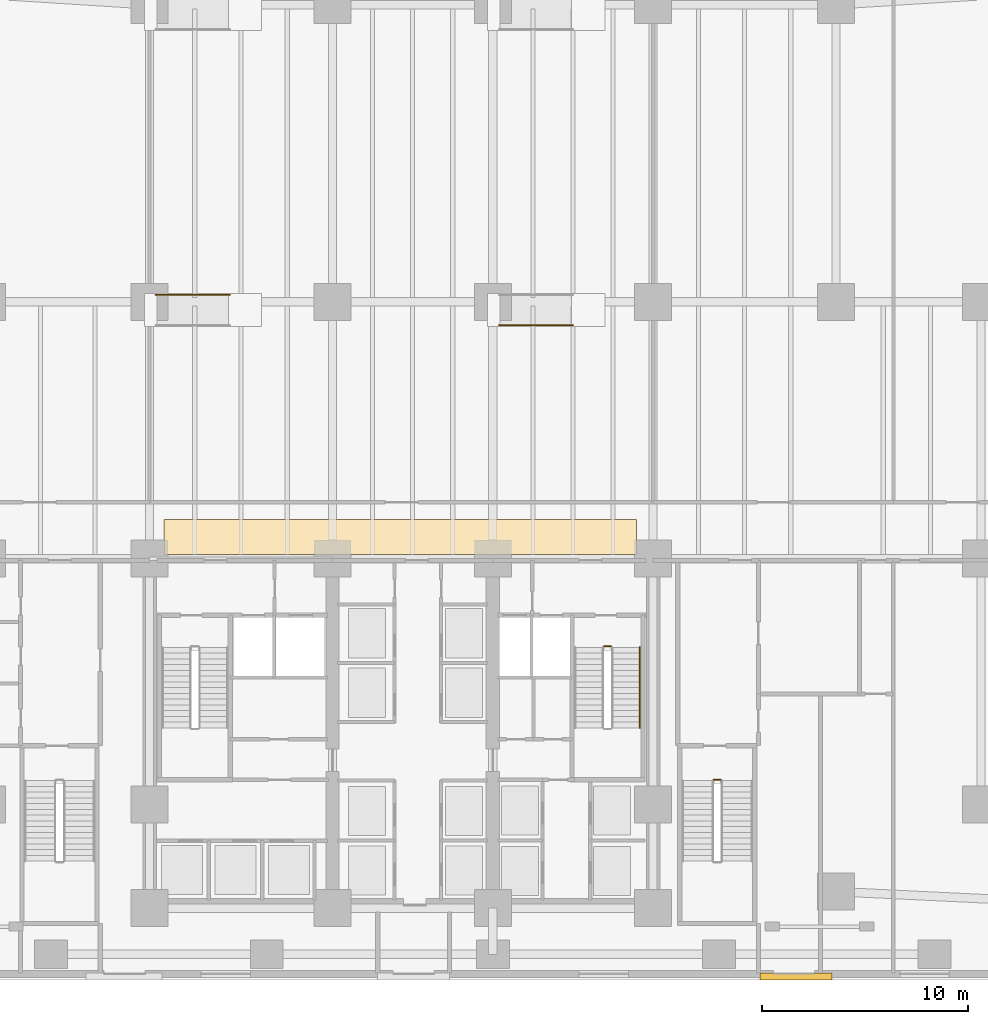
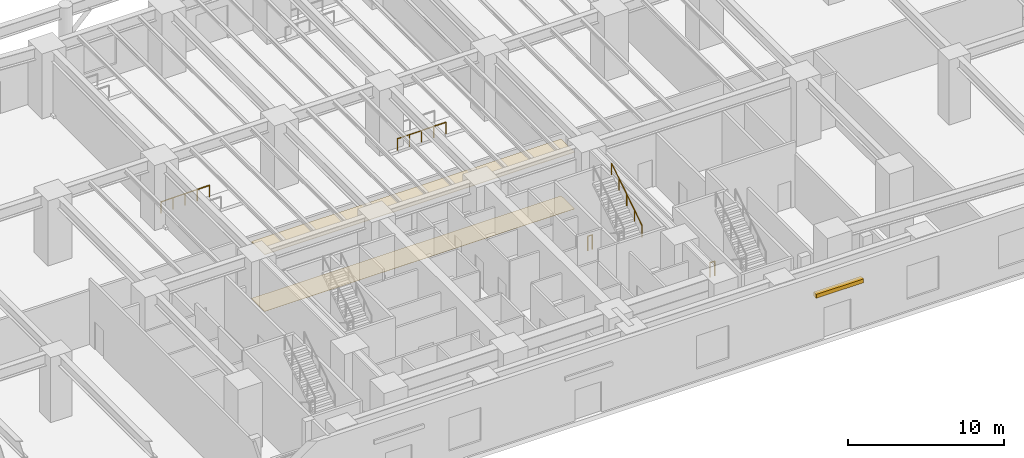
# One storey, part 17 of 19: 5 railings, 2 coverings, 1 shading device.
"""IFC4 building model written with IfcOpenShell, lengths in metres."""

import ifcopenshell
import ifcopenshell.guid

model = None  # the IFC model being written
_history = None  # IfcOwnerHistory: only IFC2X3 demands one
_inside = {}  # id of a spatial element -> (the spatial element, [elements in it])
_under = {}  # id of a project, library or spatial element -> (it, [spatial elements below it])
_declared = {}  # id of a project -> (the project, [libraries it declares])
_typed = {}  # id of a type object -> (the type object, [elements of that type])
_made_of = {}  # id of a material, layer set ... -> (it, [elements and type objects made of it])


def new_model(schema):
    """Start an empty IFC model of exactly this schema.

    Asked for "IFC4X3", IfcOpenShell would pick the latest addendum, in which some entities
    have other attributes; the version numbers below select the first issue.
    IFC2X3 requires an IfcOwnerHistory on every rooted entity: one is made here for all.
    """
    global model, _history
    if schema == "IFC4X3":
        model = ifcopenshell.file(schema_version=(4, 3, 0, 0))
    else:
        model = ifcopenshell.file(schema=schema)
    _inside.clear()
    _under.clear()
    _declared.clear()
    _typed.clear()
    _made_of.clear()
    _history = None
    if model.schema == "IFC2X3":
        org = make("IfcOrganization", Name="unknown")
        user = make(
            "IfcPersonAndOrganization",
            ThePerson=make("IfcPerson", FamilyName="unknown"),
            TheOrganization=org,
        )
        app = make(
            "IfcApplication",
            ApplicationDeveloper=org,
            Version="unknown",
            ApplicationFullName="unknown",
            ApplicationIdentifier="unknown",
        )
        _history = make(
            "IfcOwnerHistory",
            OwningUser=user,
            OwningApplication=app,
            ChangeAction="ADDED",
            CreationDate=0,
        )
    return model


def make(cls, **values):
    """One entity of the class cls with the attributes given. An attribute that is None is left unset."""
    return model.create_entity(
        cls, **{name: value for name, value in values.items() if value is not None}
    )


def rooted(cls, **values):
    """An entity with a GlobalId (a new one), such as an element, a storey or a relation."""
    return make(cls, GlobalId=ifcopenshell.guid.new(), OwnerHistory=_history, **values)


def si_unit(unit_type, name, prefix=None):
    """IfcSIUnit, for example si_unit("LENGTHUNIT", "METRE", prefix="MILLI")."""
    return make("IfcSIUnit", UnitType=unit_type, Prefix=prefix, Name=name)


def assignment(units):
    """IfcUnitAssignment: the units of a project."""
    return None if units is None else make("IfcUnitAssignment", Units=units)


def point(xyz):
    """IfcCartesianPoint."""
    return None if xyz is None else make("IfcCartesianPoint", Coordinates=xyz)


def direction(xyz):
    """IfcDirection."""
    return None if xyz is None else make("IfcDirection", DirectionRatios=xyz)


def frame(location, z_axis=None, x_axis=None):
    """IfcAxis2Placement3D, a coordinate frame: its origin and axes. An axis left out is left unset."""
    return make(
        "IfcAxis2Placement3D",
        Location=point(location),
        Axis=direction(z_axis),
        RefDirection=direction(x_axis),
    )


def frame_2d(location, x_axis=None):
    """IfcAxis2Placement2D, a coordinate frame in the plane: its origin and x axis."""
    return make(
        "IfcAxis2Placement2D", Location=point(location), RefDirection=direction(x_axis)
    )


def origin():
    """The frame at (0, 0, 0) with its axes left unset."""
    return frame((0.0, 0.0, 0.0))


def origin_2d():
    """The frame at (0, 0) in the plane with its x axis left unset."""
    return frame_2d((0.0, 0.0))


def place(relative_to, where):
    """IfcLocalPlacement: puts the frame where relative to a parent placement (None: the world)."""
    return make(
        "IfcLocalPlacement", PlacementRelTo=relative_to, RelativePlacement=where
    )


def context(
    kind, dimensions, precision=None, world=None, true_north=None, identifier=None
):
    """IfcGeometricRepresentationContext, for example the 3D "Model" context."""
    return make(
        "IfcGeometricRepresentationContext",
        ContextIdentifier=identifier,
        ContextType=kind,
        CoordinateSpaceDimension=dimensions,
        Precision=precision,
        WorldCoordinateSystem=world,
        TrueNorth=true_north,
    )


def subcontext(parent, identifier, kind, view, scale=None):
    """IfcGeometricRepresentationSubContext, for example "Body" below "Model"."""
    return make(
        "IfcGeometricRepresentationSubContext",
        ContextIdentifier=identifier,
        ContextType=kind,
        ParentContext=parent,
        TargetScale=scale,
        TargetView=view,
    )


def project(units=None, contexts=None):
    """IfcProject with its units and contexts."""
    return rooted(
        "IfcProject",
        Name="project",
        RepresentationContexts=contexts,
        UnitsInContext=assignment(units),
    )


def spatial(cls, under=None, at=None, **own):
    """A site, building, storey or space (cls), placed at a placement, below another one or the project."""
    s = rooted(cls, ObjectPlacement=at, **own)
    if under is not None:
        _under.setdefault(under.id(), (under, []))[1].append(s)
    return s


def polyline(points):
    """IfcPolyline through the points."""
    return make("IfcPolyline", Points=[point(p) for p in points])


def profile(cls, at=None, kind="AREA", **sizes):
    """A parametric profile (cls). Its sizes go by their IFC names, for example OverallWidth=200.0."""
    return make(cls, ProfileType=kind, Position=at, **sizes)


def circle(**sizes):
    """IfcCircleProfileDef."""
    return profile("IfcCircleProfileDef", **sizes)


def outline(outer, holes=None, kind="AREA"):
    """IfcArbitraryClosedProfileDef: a profile drawn as a closed curve; with holes, ...WithVoids."""
    if holes is None:
        return make("IfcArbitraryClosedProfileDef", ProfileType=kind, OuterCurve=outer)
    return make(
        "IfcArbitraryProfileDefWithVoids",
        ProfileType=kind,
        OuterCurve=outer,
        InnerCurves=holes,
    )


def extrude(swept, where, along, depth):
    """IfcExtrudedAreaSolid: the profile swept, set in the frame where, extruded along a direction by depth."""
    return make(
        "IfcExtrudedAreaSolid",
        SweptArea=swept,
        Position=where,
        ExtrudedDirection=direction(along),
        Depth=depth,
    )


def shape(context_of_items, identifier, shape_type, items):
    """IfcShapeRepresentation: the items that make up one representation, for example the "Body"."""
    return make(
        "IfcShapeRepresentation",
        ContextOfItems=context_of_items,
        RepresentationIdentifier=identifier,
        RepresentationType=shape_type,
        Items=items,
    )


def material(Name=None, Category=None):
    """IfcMaterial."""
    return make("IfcMaterial", Name=Name, Category=Category)


def layer(
    of_material, thickness, ventilated=None, Name=None, Category=None, Priority=None
):
    """IfcMaterialLayer: one layer of a wall or slab, of a material (None: an air gap)."""
    return make(
        "IfcMaterialLayer",
        Material=of_material,
        LayerThickness=thickness,
        IsVentilated=ventilated,
        Name=Name,
        Category=Category,
        Priority=Priority,
    )


def layer_set(layers, Name=None):
    """IfcMaterialLayerSet."""
    return make("IfcMaterialLayerSet", MaterialLayers=layers, LayerSetName=Name)


def made_of(thing, what):
    """Note that an element or type object is made of a material, layer set ...; save() writes the relation."""
    if what is not None:
        _made_of.setdefault(what.id(), (what, []))[1].append(thing)
    return thing


def type_object(cls, material=None, **own):
    """A type object (cls), such as IfcWallType, which elements share."""
    return made_of(rooted(cls, **own), material)


def element(
    cls,
    number,
    at=None,
    inside=None,
    cuts=None,
    type_object=None,
    material=None,
    context=None,
    identifier="Body",
    shape_type=None,
    held_by="IfcProductDefinitionShape",
    body=None,
    shapes=None,
    **own,
):
    """One element of the class cls, such as IfcWall. Its Tag is "e" and its number.

    at: its placement. inside: the storey or other place that contains it. cuts: it is an
    opening in that element (IfcRelVoidsElement). A single representation is given by context,
    identifier, shape_type and body (its items); several are given by shapes. held_by: the class
    of the entity that holds the representations. save() writes the other relations.
    """
    e = rooted(cls, Tag="e%d" % number, ObjectPlacement=at, **own)
    if body is not None:
        shapes = [shape(context, identifier, shape_type, body)]
    if shapes is not None:
        e.Representation = make(held_by, Representations=shapes)
    if inside is not None:
        _inside.setdefault(inside.id(), (inside, []))[1].append(e)
    if cuts is not None:
        rooted(
            "IfcRelVoidsElement", RelatingBuildingElement=cuts, RelatedOpeningElement=e
        )
    if type_object is not None:
        _typed.setdefault(type_object.id(), (type_object, []))[1].append(e)
    return made_of(e, material)


def aggregate(whole, parts):
    """IfcRelAggregates: a whole, such as a stair, and the parts it consists of."""
    return rooted("IfcRelAggregates", RelatingObject=whole, RelatedObjects=parts)


def save(model, path):
    """Write the relations noted so far, then the file.

    IfcRelAggregates (storeys below a building ...), IfcRelContainedInSpatialStructure (elements
    in a storey), IfcRelDefinesByType, IfcRelAssociatesMaterial and IfcRelDeclares: one each for
    every whole, place, type object, material and project.
    """
    for whole, parts in _under.values():
        aggregate(whole, parts)
    for where, things in _inside.values():
        rooted(
            "IfcRelContainedInSpatialStructure",
            RelatedElements=things,
            RelatingStructure=where,
        )
    for kind, things in _typed.values():
        rooted("IfcRelDefinesByType", RelatedObjects=things, RelatingType=kind)
    for what, things in _made_of.values():
        rooted("IfcRelAssociatesMaterial", RelatedObjects=things, RelatingMaterial=what)
    for by, libraries in _declared.values():
        rooted("IfcRelDeclares", RelatingContext=by, RelatedDefinitions=libraries)
    model.write(path)


model = new_model("IFC4")

# Units and contexts
model_context = context("Model", 3, precision=1e-05, world=origin(), true_north=direction((0.0, 1.0)))
body_context = subcontext(model_context, "Body", "Model", "MODEL_VIEW")
ifc_project = project(units=[si_unit("LENGTHUNIT", "METRE"), si_unit("AREAUNIT", "SQUARE_METRE"), si_unit("VOLUMEUNIT", "CUBIC_METRE"), si_unit("PLANEANGLEUNIT", "RADIAN"), si_unit("MASSUNIT", "GRAM", prefix="KILO")], contexts=[model_context])

# Site, building, storey
site_placement = place(None, origin())
site = spatial("IfcSite", under=ifc_project, at=site_placement, CompositionType="ELEMENT")
building_placement = place(site_placement, origin())
building = spatial("IfcBuilding", under=site, at=building_placement, Name="Qalmaran Belvedere Hotel", CompositionType="ELEMENT")
storey_placement = place(building_placement, origin())
storey = spatial("IfcBuildingStorey", under=building, at=storey_placement, Name="L00", CompositionType="ELEMENT", Elevation=0.0)

# Covering
ifc_material_1 = material(Name="Acoustic Mineral Ceiling")
ifc_layer_1 = layer(ifc_material_1, 0.0400390625, Name="Acoustic Mineral Ceiling")
ifc_layer_set_1 = layer_set([ifc_layer_1], Name="Acoustic Mineral Ceiling")
covering_type_1 = type_object("IfcCoveringType", Name="CLG-ACOUSTIC-40", PredefinedType="CEILING", material=ifc_layer_set_1)
covering_1_placement = place(storey_placement, frame((0.0, 0.0, 4.449951171875)))
element("IfcCovering", 1, at=covering_1_placement, inside=storey, type_object=covering_type_1, Name="L00 Acoustic Corridor Ceiling", PredefinedType="CEILING", context=body_context, shape_type="SweptSolid", body=[
    extrude(outline(polyline([(21.0, 20.699951171875), (44.0, 20.699951171875), (44.0, 22.39990234375), (21.0, 22.39990234375), (21.0, 20.699951171875)])), origin(), (0.0, 0.0, 1.0), 0.0400390625),
])

# Shading device
ifc_material_2 = material(Name="Anodised Bronze Aluminium", Category="aluminium")
ifc_layer_2 = layer(ifc_material_2, 0.300048828125, Name="Anodised Bronze Aluminium")
ifc_layer_set_2 = layer_set([ifc_layer_2], Name="Anodised Bronze Aluminium")
shading_device_type = type_object("IfcShadingDeviceType", Name="CNPY-BRNZ-320", PredefinedType="USERDEFINED", material=ifc_layer_set_2)
shading_device_placement = place(storey_placement, frame((0.0, 0.0, 3.449951171875)))
element("IfcShadingDevice", 2, at=shading_device_placement, inside=storey, type_object=shading_device_type, Name="L00 Entrance Canopy 6", ObjectType="CANOPY", PredefinedType="USERDEFINED", context=body_context, shape_type="SweptSolid", body=[
    extrude(outline(polyline([(50.0, 0.0), (53.5, 0.0), (53.5, 0.35009765625), (50.0, 0.35009765625), (50.0, 0.0)])), origin(), (0.0, 0.0, 1.0), 0.300048828125),
])

# Covering
ifc_material_3 = material(Name="Polished Stone Terrazzo", Category="masonry")
ifc_layer_3 = layer(ifc_material_3, 0.01806640625, Name="Polished Stone Terrazzo")
ifc_layer_set_3 = layer_set([ifc_layer_3], Name="Polished Stone Terrazzo")
covering_type_2 = type_object("IfcCoveringType", Name="FIN-TERRAZZO-18", PredefinedType="FLOORING", material=ifc_layer_set_3)
covering_2_placement = place(storey_placement, frame((0.0, 0.0, 0.001953125)))
element("IfcCovering", 3, at=covering_2_placement, inside=storey, type_object=covering_type_2, Name="L00 Limestone Corridor Flooring", PredefinedType="FLOORING", context=body_context, shape_type="SweptSolid", body=[
    extrude(outline(polyline([(21.0, 20.699951171875), (44.0, 20.699951171875), (44.0, 22.39990234375), (21.0, 22.39990234375), (21.0, 20.699951171875)])), origin(), (0.0, 0.0, 1.0), 0.01806640625),
])

# Railings
railing_type_1 = type_object("IfcRailingType", Name="RLG-RAMP-HAND-920", PredefinedType="HANDRAIL", material=ifc_material_2)
for number, where, name in (
    (4, (20.60009765625, 33.340087890625, 0.199951171875), "L00 Ramp Handrail N"),
    (5, (37.300048828125, 31.860107421875, 0.199951171875), "L00 Ramp Handrail S"),
):
    element("IfcRailing", number, at=place(storey_placement, frame(where)), inside=storey, type_object=railing_type_1, Name=name, PredefinedType="HANDRAIL", context=body_context, shape_type="SweptSolid", body=[
        extrude(circle(Radius=0.02392578125, at=origin_2d()), frame((0.0, 0.0, 0.89599609375), z_axis=(0.999938151687, 0.0, 0.011121726475), x_axis=(0.0, 1.0, 0.0)), (0.0, 0.0, 1.0), 3.60009765625),
        extrude(circle(Radius=0.02099609375, at=origin_2d()), origin(), (0.0, 0.0, 1.0), 0.871826171875),
        extrude(circle(Radius=0.02099609375, at=origin_2d()), frame((0.89990234375, 0.0, 0.010009765625)), (0.0, 0.0, 1.0), 0.871826171875),
        extrude(circle(Radius=0.02099609375, at=origin_2d()), frame((1.7998046875, 0.0, 0.02001953125)), (0.0, 0.0, 1.0), 0.871826171875),
        extrude(circle(Radius=0.02099609375, at=origin_2d()), frame((2.699951171875, 0.0, 0.030029296875)), (0.0, 0.0, 1.0), 0.871826171875),
        extrude(circle(Radius=0.02099609375, at=origin_2d()), frame((3.599853515625, 0.0, 0.0400390625)), (0.0, 0.0, 1.0), 0.871826171875),
    ])
ifc_material_4 = material(Name="Stainless Steel 1.4401", Category="steel")
railing_type_2 = type_object("IfcRailingType", Name="RLG-STAIR-GUARD-1150", PredefinedType="GUARDRAIL", material=ifc_material_4)
for number, where, name in (
    (6, (42.409912109375, 16.239990234375, 0.0), "L00 ST-2 stair guard 4"),
    (7, (47.75, 9.75, 0.0), "L00 ST-P2 stair guard 4"),
):
    element("IfcRailing", number, at=place(storey_placement, frame(where)), inside=storey, type_object=railing_type_2, Name=name, PredefinedType="GUARDRAIL", context=body_context, shape_type="SweptSolid", body=[
        extrude(circle(Radius=0.02392578125, at=origin_2d()), frame((0.0, 0.0, 1.1259765625), z_axis=(1.0, 0.0, 0.0), x_axis=(0.0, 1.0, 0.0)), (0.0, 0.0, 1.0), 0.340087890625),
        extrude(circle(Radius=0.02099609375, at=origin_2d()), origin(), (0.0, 0.0, 1.0), 1.101806640625),
        extrude(circle(Radius=0.02099609375, at=origin_2d()), frame((0.340087890625, 0.0, 0.0)), (0.0, 0.0, 1.0), 1.101806640625),
    ])
railing_type_3 = type_object("IfcRailingType", Name="RLG-STAIR-HAND-910", PredefinedType="HANDRAIL", material=ifc_material_4)
railing_placement = place(storey_placement, frame((44.14990234375, 12.27001953125, 2.8798828125)))
element("IfcRailing", 8, at=railing_placement, inside=storey, type_object=railing_type_3, Name="L00 ST-2 stair handrail 2", PredefinedType="HANDRAIL", context=body_context, shape_type="SweptSolid", body=[
    extrude(circle(Radius=0.02392578125, at=origin_2d()), frame((0.0, 0.0, 0.8857421875), z_axis=(0.0, 0.841171666519, 0.540768182723), x_axis=(-1.0, 0.0, 0.0)), (0.0, 0.0, 1.0), 4.66015625),
    extrude(circle(Radius=0.02099609375, at=origin_2d()), origin(), (0.0, 0.0, 1.0), 0.86181640625),
    extrude(circle(Radius=0.02099609375, at=origin_2d()), frame((0.0, 0.97998046875, 0.6298828125)), (0.0, 0.0, 1.0), 0.86181640625),
    extrude(circle(Radius=0.02099609375, at=origin_2d()), frame((0.0, 1.9599609375, 1.260009765625)), (0.0, 0.0, 1.0), 0.86181640625),
    extrude(circle(Radius=0.02099609375, at=origin_2d()), frame((0.0, 2.93994140625, 1.89013671875)), (0.0, 0.0, 1.0), 0.86181640625),
    extrude(circle(Radius=0.02099609375, at=origin_2d()), frame((0.0, 3.919921875, 2.52001953125)), (0.0, 0.0, 1.0), 0.86181640625),
])

save(model, "model.ifc")
